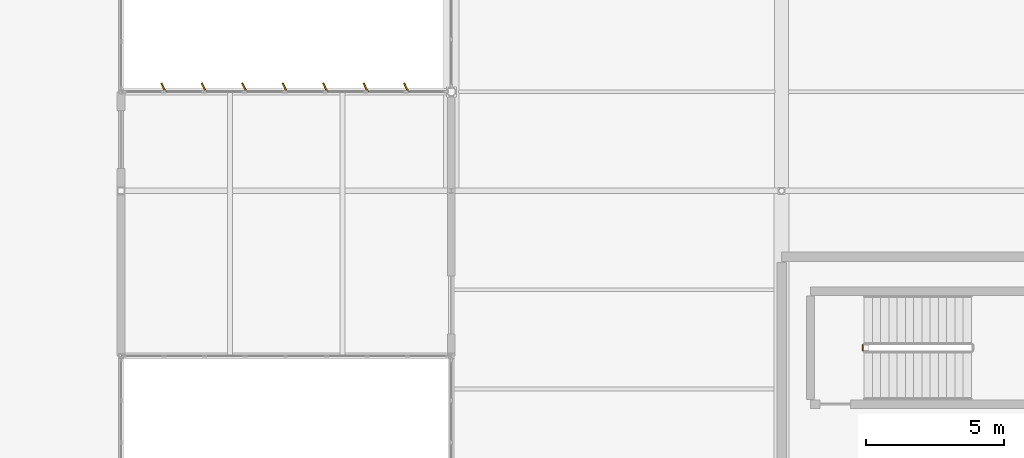
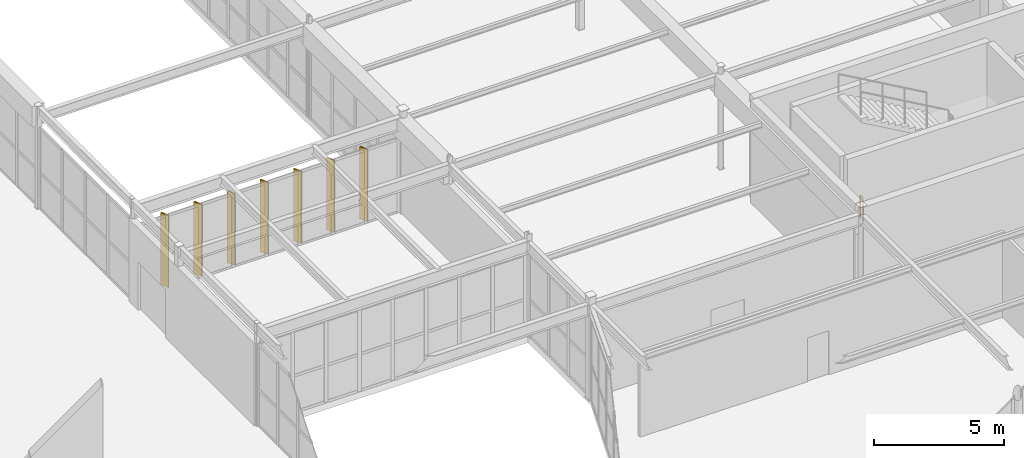
# One storey, part 183 of 186: 7 shading devices, 1 railing.
"""IFC4 building model written with IfcOpenShell, lengths in metres."""

import ifcopenshell
import ifcopenshell.guid

model = None  # the IFC model being written
_history = None  # IfcOwnerHistory: only IFC2X3 demands one
_inside = {}  # id of a spatial element -> (the spatial element, [elements in it])
_under = {}  # id of a project, library or spatial element -> (it, [spatial elements below it])
_declared = {}  # id of a project -> (the project, [libraries it declares])
_typed = {}  # id of a type object -> (the type object, [elements of that type])
_made_of = {}  # id of a material, layer set ... -> (it, [elements and type objects made of it])


def new_model(schema):
    """Start an empty IFC model of exactly this schema.

    Asked for "IFC4X3", IfcOpenShell would pick the latest addendum, in which some entities
    have other attributes; the version numbers below select the first issue.
    IFC2X3 requires an IfcOwnerHistory on every rooted entity: one is made here for all.
    """
    global model, _history
    if schema == "IFC4X3":
        model = ifcopenshell.file(schema_version=(4, 3, 0, 0))
    else:
        model = ifcopenshell.file(schema=schema)
    _inside.clear()
    _under.clear()
    _declared.clear()
    _typed.clear()
    _made_of.clear()
    _history = None
    if model.schema == "IFC2X3":
        org = make("IfcOrganization", Name="unknown")
        user = make(
            "IfcPersonAndOrganization",
            ThePerson=make("IfcPerson", FamilyName="unknown"),
            TheOrganization=org,
        )
        app = make(
            "IfcApplication",
            ApplicationDeveloper=org,
            Version="unknown",
            ApplicationFullName="unknown",
            ApplicationIdentifier="unknown",
        )
        _history = make(
            "IfcOwnerHistory",
            OwningUser=user,
            OwningApplication=app,
            ChangeAction="ADDED",
            CreationDate=0,
        )
    return model


def make(cls, **values):
    """One entity of the class cls with the attributes given. An attribute that is None is left unset."""
    return model.create_entity(
        cls, **{name: value for name, value in values.items() if value is not None}
    )


def rooted(cls, **values):
    """An entity with a GlobalId (a new one), such as an element, a storey or a relation."""
    return make(cls, GlobalId=ifcopenshell.guid.new(), OwnerHistory=_history, **values)


def si_unit(unit_type, name, prefix=None):
    """IfcSIUnit, for example si_unit("LENGTHUNIT", "METRE", prefix="MILLI")."""
    return make("IfcSIUnit", UnitType=unit_type, Prefix=prefix, Name=name)


def assignment(units):
    """IfcUnitAssignment: the units of a project."""
    return None if units is None else make("IfcUnitAssignment", Units=units)


def point(xyz):
    """IfcCartesianPoint."""
    return None if xyz is None else make("IfcCartesianPoint", Coordinates=xyz)


def direction(xyz):
    """IfcDirection."""
    return None if xyz is None else make("IfcDirection", DirectionRatios=xyz)


def frame(location, z_axis=None, x_axis=None):
    """IfcAxis2Placement3D, a coordinate frame: its origin and axes. An axis left out is left unset."""
    return make(
        "IfcAxis2Placement3D",
        Location=point(location),
        Axis=direction(z_axis),
        RefDirection=direction(x_axis),
    )


def frame_2d(location, x_axis=None):
    """IfcAxis2Placement2D, a coordinate frame in the plane: its origin and x axis."""
    return make(
        "IfcAxis2Placement2D", Location=point(location), RefDirection=direction(x_axis)
    )


def origin():
    """The frame at (0, 0, 0) with its axes left unset."""
    return frame((0.0, 0.0, 0.0))


def origin_2d():
    """The frame at (0, 0) in the plane with its x axis left unset."""
    return frame_2d((0.0, 0.0))


def place(relative_to, where):
    """IfcLocalPlacement: puts the frame where relative to a parent placement (None: the world)."""
    return make(
        "IfcLocalPlacement", PlacementRelTo=relative_to, RelativePlacement=where
    )


def context(
    kind, dimensions, precision=None, world=None, true_north=None, identifier=None
):
    """IfcGeometricRepresentationContext, for example the 3D "Model" context."""
    return make(
        "IfcGeometricRepresentationContext",
        ContextIdentifier=identifier,
        ContextType=kind,
        CoordinateSpaceDimension=dimensions,
        Precision=precision,
        WorldCoordinateSystem=world,
        TrueNorth=true_north,
    )


def subcontext(parent, identifier, kind, view, scale=None):
    """IfcGeometricRepresentationSubContext, for example "Body" below "Model"."""
    return make(
        "IfcGeometricRepresentationSubContext",
        ContextIdentifier=identifier,
        ContextType=kind,
        ParentContext=parent,
        TargetScale=scale,
        TargetView=view,
    )


def project(units=None, contexts=None):
    """IfcProject with its units and contexts."""
    return rooted(
        "IfcProject",
        Name="project",
        RepresentationContexts=contexts,
        UnitsInContext=assignment(units),
    )


def spatial(cls, under=None, at=None, **own):
    """A site, building, storey or space (cls), placed at a placement, below another one or the project."""
    s = rooted(cls, ObjectPlacement=at, **own)
    if under is not None:
        _under.setdefault(under.id(), (under, []))[1].append(s)
    return s


def profile(cls, at=None, kind="AREA", **sizes):
    """A parametric profile (cls). Its sizes go by their IFC names, for example OverallWidth=200.0."""
    return make(cls, ProfileType=kind, Position=at, **sizes)


def rectangle(**sizes):
    """IfcRectangleProfileDef."""
    return profile("IfcRectangleProfileDef", **sizes)


def circle(**sizes):
    """IfcCircleProfileDef."""
    return profile("IfcCircleProfileDef", **sizes)


def extrude(swept, where, along, depth):
    """IfcExtrudedAreaSolid: the profile swept, set in the frame where, extruded along a direction by depth."""
    return make(
        "IfcExtrudedAreaSolid",
        SweptArea=swept,
        Position=where,
        ExtrudedDirection=direction(along),
        Depth=depth,
    )


def shape(context_of_items, identifier, shape_type, items):
    """IfcShapeRepresentation: the items that make up one representation, for example the "Body"."""
    return make(
        "IfcShapeRepresentation",
        ContextOfItems=context_of_items,
        RepresentationIdentifier=identifier,
        RepresentationType=shape_type,
        Items=items,
    )


def material(Name=None, Category=None):
    """IfcMaterial."""
    return make("IfcMaterial", Name=Name, Category=Category)


def layer(
    of_material, thickness, ventilated=None, Name=None, Category=None, Priority=None
):
    """IfcMaterialLayer: one layer of a wall or slab, of a material (None: an air gap)."""
    return make(
        "IfcMaterialLayer",
        Material=of_material,
        LayerThickness=thickness,
        IsVentilated=ventilated,
        Name=Name,
        Category=Category,
        Priority=Priority,
    )


def layer_set(layers, Name=None):
    """IfcMaterialLayerSet."""
    return make("IfcMaterialLayerSet", MaterialLayers=layers, LayerSetName=Name)


def made_of(thing, what):
    """Note that an element or type object is made of a material, layer set ...; save() writes the relation."""
    if what is not None:
        _made_of.setdefault(what.id(), (what, []))[1].append(thing)
    return thing


def type_object(cls, material=None, **own):
    """A type object (cls), such as IfcWallType, which elements share."""
    return made_of(rooted(cls, **own), material)


def element(
    cls,
    number,
    at=None,
    inside=None,
    cuts=None,
    type_object=None,
    material=None,
    context=None,
    identifier="Body",
    shape_type=None,
    held_by="IfcProductDefinitionShape",
    body=None,
    shapes=None,
    **own,
):
    """One element of the class cls, such as IfcWall. Its Tag is "e" and its number.

    at: its placement. inside: the storey or other place that contains it. cuts: it is an
    opening in that element (IfcRelVoidsElement). A single representation is given by context,
    identifier, shape_type and body (its items); several are given by shapes. held_by: the class
    of the entity that holds the representations. save() writes the other relations.
    """
    e = rooted(cls, Tag="e%d" % number, ObjectPlacement=at, **own)
    if body is not None:
        shapes = [shape(context, identifier, shape_type, body)]
    if shapes is not None:
        e.Representation = make(held_by, Representations=shapes)
    if inside is not None:
        _inside.setdefault(inside.id(), (inside, []))[1].append(e)
    if cuts is not None:
        rooted(
            "IfcRelVoidsElement", RelatingBuildingElement=cuts, RelatedOpeningElement=e
        )
    if type_object is not None:
        _typed.setdefault(type_object.id(), (type_object, []))[1].append(e)
    return made_of(e, material)


def aggregate(whole, parts):
    """IfcRelAggregates: a whole, such as a stair, and the parts it consists of."""
    return rooted("IfcRelAggregates", RelatingObject=whole, RelatedObjects=parts)


def save(model, path):
    """Write the relations noted so far, then the file.

    IfcRelAggregates (storeys below a building ...), IfcRelContainedInSpatialStructure (elements
    in a storey), IfcRelDefinesByType, IfcRelAssociatesMaterial and IfcRelDeclares: one each for
    every whole, place, type object, material and project.
    """
    for whole, parts in _under.values():
        aggregate(whole, parts)
    for where, things in _inside.values():
        rooted(
            "IfcRelContainedInSpatialStructure",
            RelatedElements=things,
            RelatingStructure=where,
        )
    for kind, things in _typed.values():
        rooted("IfcRelDefinesByType", RelatedObjects=things, RelatingType=kind)
    for what, things in _made_of.values():
        rooted("IfcRelAssociatesMaterial", RelatedObjects=things, RelatingMaterial=what)
    for by, libraries in _declared.values():
        rooted("IfcRelDeclares", RelatingContext=by, RelatedDefinitions=libraries)
    model.write(path)


model = new_model("IFC4")

# Units and contexts
model_context = context("Model", 3, precision=1e-05, world=origin(), true_north=direction((0.0, 1.0)))
body_context = subcontext(model_context, "Body", "Model", "MODEL_VIEW")
ifc_project = project(units=[si_unit("LENGTHUNIT", "METRE"), si_unit("AREAUNIT", "SQUARE_METRE"), si_unit("VOLUMEUNIT", "CUBIC_METRE"), si_unit("PLANEANGLEUNIT", "RADIAN"), si_unit("MASSUNIT", "GRAM", prefix="KILO")], contexts=[model_context])

# Site, building, storey
site_placement = place(None, origin())
site = spatial("IfcSite", under=ifc_project, at=site_placement, CompositionType="ELEMENT")
building_placement = place(site_placement, origin())
building = spatial("IfcBuilding", under=site, at=building_placement, Name="Tarnwether General Hospital", CompositionType="ELEMENT")
storey_placement = place(building_placement, frame((0.0, 0.0, 9.60009765625)))
storey = spatial("IfcBuildingStorey", under=building, at=storey_placement, Name="L02", CompositionType="ELEMENT", Elevation=9.60009765625)

# Railing
ifc_material_1 = material(Name="Anodised aluminium", Category="aluminium")
railing_type = type_object("IfcRailingType", Name="RL-GRD-INT", PredefinedType="GUARDRAIL", material=ifc_material_1)
railing_placement = place(storey_placement, frame((158.949951171875, 98.60009765625, 0.0)))
element("IfcRailing", 1, at=railing_placement, inside=storey, type_object=railing_type, Name="L02 ST-06 stair guard 4", PredefinedType="GUARDRAIL", context=body_context, shape_type="SweptSolid", body=[
    extrude(circle(Radius=0.02392578125, at=origin_2d()), frame((0.0, 0.0, 1.076171875), z_axis=(0.0, 1.0, 0.0), x_axis=(-1.0, 0.0, 0.0)), (0.0, 0.0, 1.0), 0.199951171875),
    extrude(circle(Radius=0.02099609375, at=origin_2d()), origin(), (0.0, 0.0, 1.0), 1.052001953125),
    extrude(circle(Radius=0.02099609375, at=origin_2d()), frame((0.0, 0.199951171875, 0.0)), (0.0, 0.0, 1.0), 1.052001953125),
])

# Shading devices
ifc_material_2 = material(Name="Champagne-bronze anodised aluminium", Category="aluminium")
ifc_layer = layer(ifc_material_2, 0.06005859375)
ifc_layer_set = layer_set([ifc_layer], Name="Champagne-bronze anodised aluminium")
shading_device_type = type_object("IfcShadingDeviceType", Name="SH-FIN-BRZ", PredefinedType="USERDEFINED", material=ifc_layer_set)
for number, where, z_axis, x_axis, name in (
    (2, (133.5400390625, 108.159912109375, 0.050048828125), (0.0, 0.0, 1.0), (0.906307787037, 0.422618261741, 0.0), "Champagne-Bronze Brise-Soleil Fin 0551"),
    (3, (135.010009765625, 108.159912109375, 0.050048828125), (0.0, 0.0, 1.0), (0.906307787037, 0.422618261741, 0.0), "Champagne-Bronze Brise-Soleil Fin 0552"),
    (4, (136.47998046875, 108.159912109375, 0.050048828125), (0.0, 0.0, 1.0), (0.906307787037, 0.422618261741, 0.0), "Champagne-Bronze Brise-Soleil Fin 0553"),
    (5, (137.949951171875, 108.159912109375, 0.050048828125), (0.0, 0.0, 1.0), (0.906307787037, 0.422618261741, 0.0), "Champagne-Bronze Brise-Soleil Fin 0554"),
    (6, (139.419921875, 108.159912109375, 0.050048828125), (0.0, 0.0, 1.0), (0.906307787037, 0.422618261741, 0.0), "Champagne-Bronze Brise-Soleil Fin 0555"),
    (7, (140.889892578125, 108.159912109375, 0.050048828125), (0.0, 0.0, 1.0), (0.906307787037, 0.422618261741, 0.0), "Champagne-Bronze Brise-Soleil Fin 0556"),
    (8, (142.360107421875, 108.159912109375, 0.050048828125), (0.0, 0.0, 1.0), (0.906307787037, 0.422618261741, 0.0), "Champagne-Bronze Brise-Soleil Fin 0557"),
):
    element("IfcShadingDevice", number, at=place(storey_placement, frame(where, z_axis=z_axis, x_axis=x_axis)), inside=storey, type_object=shading_device_type, Name=name, ObjectType="SOLAR FIN", PredefinedType="USERDEFINED", context=body_context, shape_type="SweptSolid", body=[
        extrude(rectangle(XDim=0.06005859375, YDim=0.360107421875, at=origin_2d()), origin(), (0.0, 0.0, 1.0), 3.3798828125),
    ])

save(model, "model.ifc")
